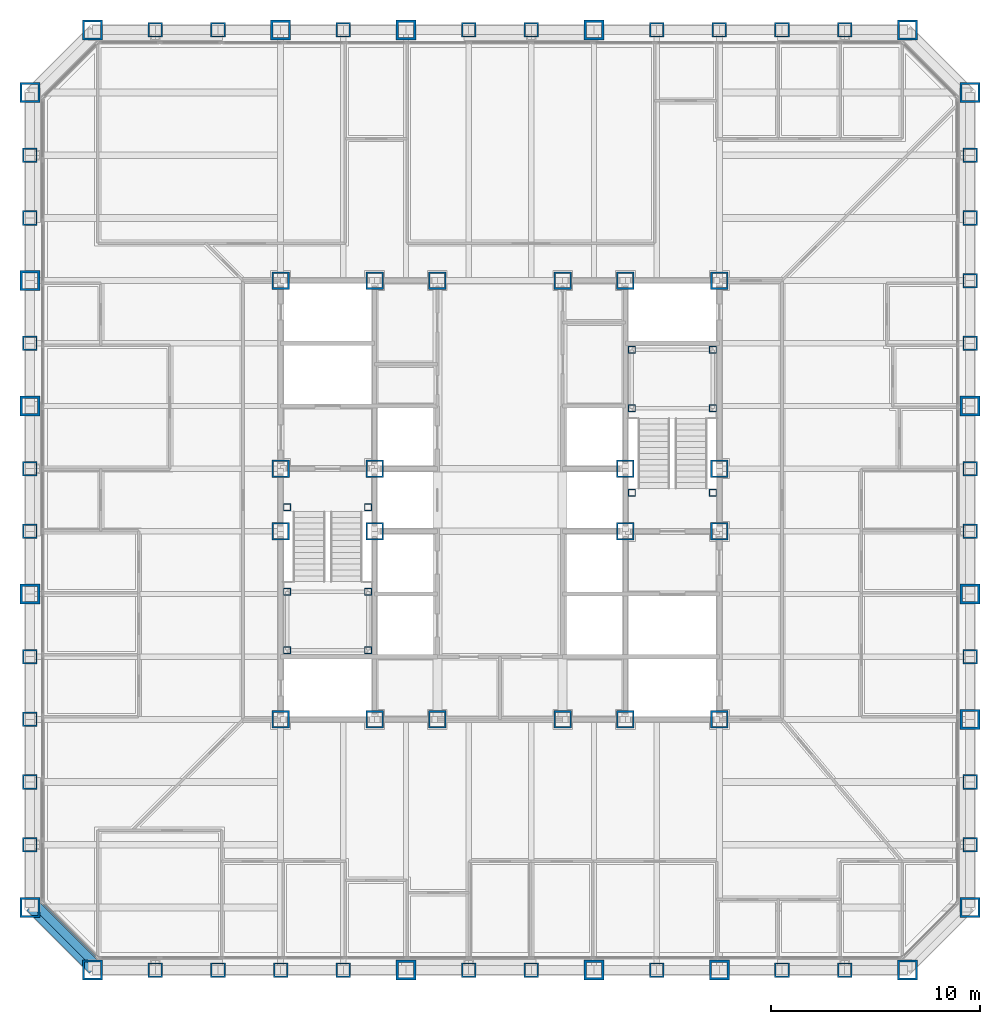
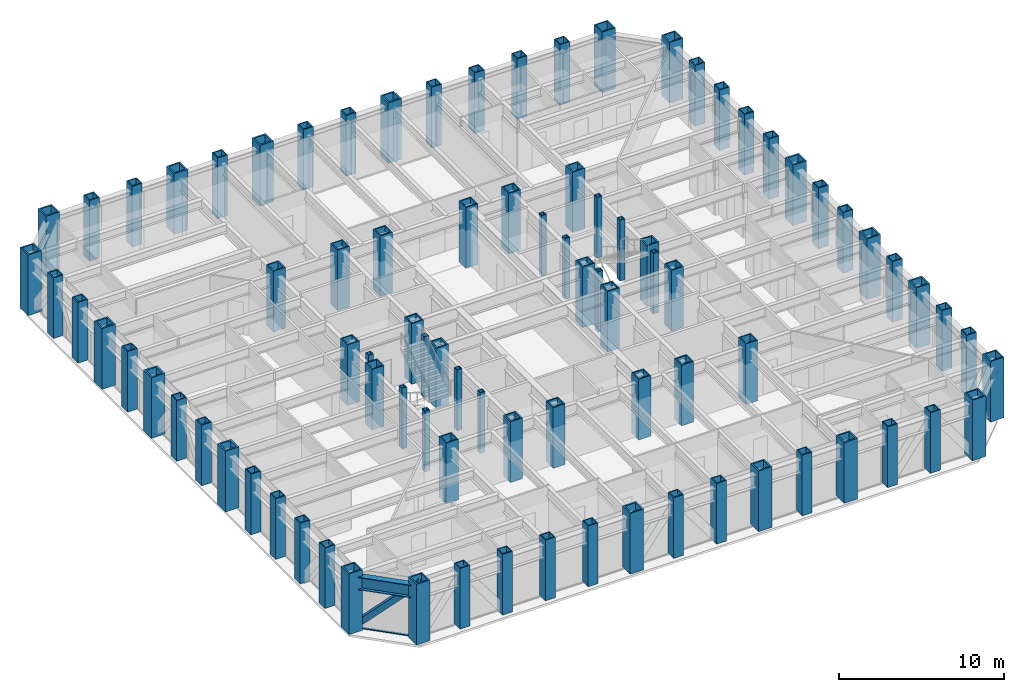
# One storey, part 1 of 16: 88 columns, 2 members, 1 beam, 1 element without a shape of its own.
"""IFC4 building model written with IfcOpenShell, lengths in metres."""

from ifc_helpers import new_model, si_unit, direction, frame, origin, origin_2d, place, context, subcontext, project, spatial, rectangle, hollow_rectangle, i_section, extrude, material, layer, layer_set, material_profile, profile_set, type_object, element, aggregate, save


model = new_model("IFC4")

# Units and contexts
model_context = context("Model", 3, precision=1e-05, world=origin(), true_north=direction((0.0, 1.0)))
body_context = subcontext(model_context, "Body", "Model", "MODEL_VIEW")
ifc_project = project(units=[si_unit("LENGTHUNIT", "METRE"), si_unit("AREAUNIT", "SQUARE_METRE"), si_unit("VOLUMEUNIT", "CUBIC_METRE"), si_unit("PLANEANGLEUNIT", "RADIAN"), si_unit("MASSUNIT", "GRAM", prefix="KILO")], contexts=[model_context])

# Site, building, storey
site_placement = place(None, origin())
site = spatial("IfcSite", under=ifc_project, at=site_placement, CompositionType="ELEMENT")
building_placement = place(site_placement, origin())
building = spatial("IfcBuilding", under=site, at=building_placement, Name="Chuquiago Exchange Tower", CompositionType="ELEMENT")
storey_placement = place(building_placement, frame((0.0, 0.0, 28.800048828125)))
storey = spatial("IfcBuildingStorey", under=building, at=storey_placement, Name="L05", CompositionType="ELEMENT", Elevation=28.800048828125)

# Columns
ifc_material_1 = material(Name="Steel ASTM A572 Grade 50", Category="steel")
ifc_material_profile_1 = material_profile(ifc_material_1, hollow_rectangle(XDim=0.699951171875, YDim=0.699951171875, WallThickness=0.070068359375, at=origin_2d()), Name="BOX700X700X70")
ifc_profile_set_1 = profile_set([ifc_material_profile_1], Name="Steel ASTM A572 Grade 50")
column_type_1 = type_object("IfcColumnType", Name="C2 BOX700X700X70", PredefinedType="COLUMN", material=ifc_profile_set_1)
for number, where, z_axis, x_axis, name in (
    (1, (6.0, 0.0, 0.0), (0.0, 0.0, 1.0), (0.0, -1.0, 0.0), "COL-L05-6_0"),
    (2, (9.0, 0.0, 0.0), (0.0, 0.0, 1.0), (0.0, -1.0, 0.0), "COL-L05-9_0"),
    (3, (12.0, 0.0, 0.0), (0.0, 0.0, 1.0), (0.0, -1.0, 0.0), "COL-L05-12_0"),
    (4, (15.0, 0.0, 0.0), (0.0, 0.0, 1.0), (0.0, -1.0, 0.0), "COL-L05-15_0"),
    (5, (21.0, 0.0, 0.0), (0.0, 0.0, 1.0), (0.0, -1.0, 0.0), "COL-L05-21_0"),
    (6, (24.0, 0.0, 0.0), (0.0, 0.0, 1.0), (0.0, -1.0, 0.0), "COL-L05-24_0"),
    (7, (30.0, 0.0, 0.0), (0.0, 0.0, 1.0), (0.0, -1.0, 0.0), "COL-L05-30_0"),
    (8, (36.0, 0.0, 0.0), (0.0, 0.0, 1.0), (0.0, -1.0, 0.0), "COL-L05-36_0"),
    (9, (39.0, 0.0, 0.0), (0.0, 0.0, 1.0), (0.0, -1.0, 0.0), "COL-L05-39_0"),
    (10, (45.0, 6.0, 0.0), (0.0, 0.0, 1.0), (1.0, 0.0, 0.0), "COL-L05-45_6"),
    (11, (45.0, 9.0, 0.0), (0.0, 0.0, 1.0), (1.0, 0.0, 0.0), "COL-L05-45_9"),
    (12, (45.0, 15.0, 0.0), (0.0, 0.0, 1.0), (1.0, 0.0, 0.0), "COL-L05-45_15"),
    (13, (45.0, 21.0, 0.0), (0.0, 0.0, 1.0), (1.0, 0.0, 0.0), "COL-L05-45_21"),
    (14, (45.0, 24.0, 0.0), (0.0, 0.0, 1.0), (1.0, 0.0, 0.0), "COL-L05-45_24"),
    (15, (45.0, 30.0, 0.0), (0.0, 0.0, 1.0), (1.0, 0.0, 0.0), "COL-L05-45_30"),
    (16, (45.0, 33.0, 0.0), (0.0, 0.0, 1.0), (1.0, 0.0, 0.0), "COL-L05-45_33"),
    (17, (45.0, 36.0, 0.0), (0.0, 0.0, 1.0), (1.0, 0.0, 0.0), "COL-L05-45_36"),
    (18, (45.0, 39.0, 0.0), (0.0, 0.0, 1.0), (1.0, 0.0, 0.0), "COL-L05-45_39"),
    (19, (39.0, 45.0, 0.0), (0.0, 0.0, 1.0), (0.0, 1.0, 0.0), "COL-L05-39_45"),
    (20, (36.0, 45.0, 0.0), (0.0, 0.0, 1.0), (0.0, 1.0, 0.0), "COL-L05-36_45"),
    (21, (33.0, 45.0, 0.0), (0.0, 0.0, 1.0), (0.0, 1.0, 0.0), "COL-L05-33_45"),
    (22, (30.0, 45.0, 0.0), (0.0, 0.0, 1.0), (0.0, 1.0, 0.0), "COL-L05-30_45"),
    (23, (24.0, 45.0, 0.0), (0.0, 0.0, 1.0), (0.0, 1.0, 0.0), "COL-L05-24_45"),
    (24, (21.0, 45.0, 0.0), (0.0, 0.0, 1.0), (0.0, 1.0, 0.0), "COL-L05-21_45"),
    (25, (15.0, 45.0, 0.0), (0.0, 0.0, 1.0), (0.0, 1.0, 0.0), "COL-L05-15_45"),
    (26, (9.0, 45.0, 0.0), (0.0, 0.0, 1.0), (0.0, 1.0, 0.0), "COL-L05-9_45"),
    (27, (6.0, 45.0, 0.0), (0.0, 0.0, 1.0), (0.0, 1.0, 0.0), "COL-L05-6_45"),
    (28, (0.0, 39.0, 0.0), (0.0, 0.0, 1.0), (-1.0, 0.0, 0.0), "COL-L05-0_39"),
    (29, (0.0, 36.0, 0.0), (0.0, 0.0, 1.0), (-1.0, 0.0, 0.0), "COL-L05-0_36"),
    (30, (0.0, 30.0, 0.0), (0.0, 0.0, 1.0), (-1.0, 0.0, 0.0), "COL-L05-0_30"),
    (31, (0.0, 24.0, 0.0), (0.0, 0.0, 1.0), (-1.0, 0.0, 0.0), "COL-L05-0_24"),
    (32, (0.0, 21.0, 0.0), (0.0, 0.0, 1.0), (-1.0, 0.0, 0.0), "COL-L05-0_21"),
    (33, (0.0, 15.0, 0.0), (0.0, 0.0, 1.0), (-1.0, 0.0, 0.0), "COL-L05-0_15"),
    (34, (0.0, 12.0, 0.0), (0.0, 0.0, 1.0), (-1.0, 0.0, 0.0), "COL-L05-0_12"),
    (35, (0.0, 9.0, 0.0), (0.0, 0.0, 1.0), (-1.0, 0.0, 0.0), "COL-L05-0_9"),
    (36, (0.0, 6.0, 0.0), (0.0, 0.0, 1.0), (-1.0, 0.0, 0.0), "COL-L05-0_6"),
):
    element("IfcColumn", number, at=place(storey_placement, frame(where, z_axis=z_axis, x_axis=x_axis)), inside=storey, type_object=column_type_1, Name=name, PredefinedType="COLUMN", context=body_context, shape_type="SweptSolid", body=[
        extrude(hollow_rectangle(XDim=0.699951171875, YDim=0.699951171875, WallThickness=0.070068359375, at=origin_2d()), origin(), (0.0, 0.0, 1.0), 4.5),
    ])
ifc_material_2 = material(Name="Steel ASTM A572 Grade 50", Category="steel")
ifc_material_profile_2 = material_profile(ifc_material_2, hollow_rectangle(XDim=0.85009765625, YDim=0.85009765625, WallThickness=0.0849609375, at=origin_2d()), Name="BOX850X850X85")
ifc_profile_set_2 = profile_set([ifc_material_profile_2], Name="Steel ASTM A572 Grade 50")
column_type_2 = type_object("IfcColumnType", Name="CC2 BOX850X850X85", PredefinedType="COLUMN", material=ifc_profile_set_2)
for number, where, z_axis, x_axis, name in (
    (37, (16.5, 12.0, 0.0), (0.0, 0.0, 1.0), (1.0, 0.0, 0.0), "CCOL-L05-16.5_12"),
    (38, (19.5, 12.0, 0.0), (0.0, 0.0, 1.0), (1.0, 0.0, 0.0), "CCOL-L05-19.5_12"),
    (39, (25.5, 12.0, 0.0), (0.0, 0.0, 1.0), (1.0, 0.0, 0.0), "CCOL-L05-25.5_12"),
    (40, (28.5, 12.0, 0.0), (0.0, 0.0, 1.0), (1.0, 0.0, 0.0), "CCOL-L05-28.5_12"),
    (41, (16.5, 33.0, 0.0), (0.0, 0.0, 1.0), (1.0, 0.0, 0.0), "CCOL-L05-16.5_33"),
    (42, (19.5, 33.0, 0.0), (0.0, 0.0, 1.0), (1.0, 0.0, 0.0), "CCOL-L05-19.5_33"),
    (43, (25.5, 33.0, 0.0), (0.0, 0.0, 1.0), (1.0, 0.0, 0.0), "CCOL-L05-25.5_33"),
    (44, (28.5, 33.0, 0.0), (0.0, 0.0, 1.0), (1.0, 0.0, 0.0), "CCOL-L05-28.5_33"),
    (45, (12.0, 21.0, 0.0), (0.0, 0.0, 1.0), (1.0, 0.0, 0.0), "CCOL-L05-12_21"),
    (46, (12.0, 24.0, 0.0), (0.0, 0.0, 1.0), (1.0, 0.0, 0.0), "CCOL-L05-12_24"),
    (47, (33.0, 21.0, 0.0), (0.0, 0.0, 1.0), (1.0, 0.0, 0.0), "CCOL-L05-33_21"),
    (48, (33.0, 24.0, 0.0), (0.0, 0.0, 1.0), (1.0, 0.0, 0.0), "CCOL-L05-33_24"),
    (49, (16.5, 21.0, 0.0), (0.0, 0.0, 1.0), (1.0, 0.0, 0.0), "CCOL-L05-16.5_21"),
    (50, (16.5, 24.0, 0.0), (0.0, 0.0, 1.0), (1.0, 0.0, 0.0), "CCOL-L05-16.5_24"),
    (51, (28.5, 21.0, 0.0), (0.0, 0.0, 1.0), (1.0, 0.0, 0.0), "CCOL-L05-28.5_21"),
    (52, (28.5, 24.0, 0.0), (0.0, 0.0, 1.0), (1.0, 0.0, 0.0), "CCOL-L05-28.5_24"),
):
    element("IfcColumn", number, at=place(storey_placement, frame(where, z_axis=z_axis, x_axis=x_axis)), inside=storey, type_object=column_type_2, Name=name, PredefinedType="COLUMN", context=body_context, shape_type="SweptSolid", body=[
        extrude(hollow_rectangle(XDim=0.85009765625, YDim=0.85009765625, WallThickness=0.0849609375, at=origin_2d()), origin(), (0.0, 0.0, 1.0), 4.5),
    ])
ifc_material_3 = material(Name="Steel ASTM A572 Grade 50", Category="steel")
ifc_material_profile_3 = material_profile(ifc_material_3, hollow_rectangle(XDim=0.85009765625, YDim=0.85009765625, WallThickness=0.0849609375, at=origin_2d()), Name="BOX850X850X85")
ifc_profile_set_3 = profile_set([ifc_material_profile_3], Name="Steel ASTM A572 Grade 50")
column_type_3 = type_object("IfcColumnType", Name="CC6 BOX850X850X85", PredefinedType="COLUMN", material=ifc_profile_set_3)
for number, where, z_axis, x_axis, name in (
    (53, (12.0, 12.0, 0.0), (0.0, 0.0, 1.0), (1.0, 0.0, 0.0), "CCOL-L05-12_12"),
    (54, (33.0, 12.0, 0.0), (0.0, 0.0, 1.0), (1.0, 0.0, 0.0), "CCOL-L05-33_12"),
    (55, (12.0, 33.0, 0.0), (0.0, 0.0, 1.0), (1.0, 0.0, 0.0), "CCOL-L05-12_33"),
    (56, (33.0, 33.0, 0.0), (0.0, 0.0, 1.0), (1.0, 0.0, 0.0), "CCOL-L05-33_33"),
):
    element("IfcColumn", number, at=place(storey_placement, frame(where, z_axis=z_axis, x_axis=x_axis)), inside=storey, type_object=column_type_3, Name=name, PredefinedType="COLUMN", context=body_context, shape_type="SweptSolid", body=[
        extrude(hollow_rectangle(XDim=0.85009765625, YDim=0.85009765625, WallThickness=0.0849609375, at=origin_2d()), origin(), (0.0, 0.0, 1.0), 4.5),
    ])
ifc_material_4 = material(Name="Steel ASTM A572 Grade 50", Category="steel")
ifc_material_profile_4 = material_profile(ifc_material_4, hollow_rectangle(XDim=0.949951171875, YDim=0.949951171875, WallThickness=0.094970703125, at=origin_2d()), Name="BOX950X950X95")
ifc_profile_set_4 = profile_set([ifc_material_profile_4], Name="Steel ASTM A572 Grade 50")
column_type_4 = type_object("IfcColumnType", Name="CN1 BOX950X950X95", PredefinedType="COLUMN", material=ifc_profile_set_4)
for number, where, z_axis, x_axis, name in (
    (57, (3.0, 0.0, 0.0), (0.0, 0.0, 1.0), (0.0, -1.0, 0.0), "COL-L05-3_0"),
    (58, (42.0, 0.0, 0.0), (0.0, 0.0, 1.0), (0.0, -1.0, 0.0), "COL-L05-42_0"),
    (59, (45.0, 3.0, 0.0), (0.0, 0.0, 1.0), (1.0, 0.0, 0.0), "COL-L05-45_3"),
    (60, (45.0, 42.0, 0.0), (0.0, 0.0, 1.0), (1.0, 0.0, 0.0), "COL-L05-45_42"),
    (61, (42.0, 45.0, 0.0), (0.0, 0.0, 1.0), (0.0, 1.0, 0.0), "COL-L05-42_45"),
    (62, (3.0, 45.0, 0.0), (0.0, 0.0, 1.0), (0.0, 1.0, 0.0), "COL-L05-3_45"),
    (63, (0.0, 42.0, 0.0), (0.0, 0.0, 1.0), (-1.0, 0.0, 0.0), "COL-L05-0_42"),
    (64, (0.0, 3.0, 0.0), (0.0, 0.0, 1.0), (-1.0, 0.0, 0.0), "COL-L05-0_3"),
):
    element("IfcColumn", number, at=place(storey_placement, frame(where, z_axis=z_axis, x_axis=x_axis)), inside=storey, type_object=column_type_4, Name=name, PredefinedType="COLUMN", context=body_context, shape_type="SweptSolid", body=[
        extrude(hollow_rectangle(XDim=0.949951171875, YDim=0.949951171875, WallThickness=0.094970703125, at=origin_2d()), origin(), (0.0, 0.0, 1.0), 4.5),
    ])
ifc_material_5 = material(Name="Steel ASTM A572 Grade 42", Category="steel")
ifc_material_profile_5 = material_profile(ifc_material_5, hollow_rectangle(XDim=0.949951171875, YDim=0.949951171875, WallThickness=0.110107421875, at=origin_2d()), Name="BOX950X950X110")
ifc_profile_set_5 = profile_set([ifc_material_profile_5], Name="Steel ASTM A572 Grade 42")
column_type_5 = type_object("IfcColumnType", Name="CT1 BOX950X950X110", PredefinedType="COLUMN", material=ifc_profile_set_5)
for number, where, z_axis, x_axis, name in (
    (65, (18.0, 0.0, 0.0), (0.0, 0.0, 1.0), (0.0, -1.0, 0.0), "COL-L05-18_0"),
    (66, (27.0, 0.0, 0.0), (0.0, 0.0, 1.0), (0.0, -1.0, 0.0), "COL-L05-27_0"),
    (67, (33.0, 0.0, 0.0), (0.0, 0.0, 1.0), (0.0, -1.0, 0.0), "COL-L05-33_0"),
    (68, (45.0, 12.0, 0.0), (0.0, 0.0, 1.0), (1.0, 0.0, 0.0), "COL-L05-45_12"),
    (69, (45.0, 18.0, 0.0), (0.0, 0.0, 1.0), (1.0, 0.0, 0.0), "COL-L05-45_18"),
    (70, (45.0, 27.0, 0.0), (0.0, 0.0, 1.0), (1.0, 0.0, 0.0), "COL-L05-45_27"),
    (71, (27.0, 45.0, 0.0), (0.0, 0.0, 1.0), (0.0, 1.0, 0.0), "COL-L05-27_45"),
    (72, (18.0, 45.0, 0.0), (0.0, 0.0, 1.0), (0.0, 1.0, 0.0), "COL-L05-18_45"),
    (73, (12.0, 45.0, 0.0), (0.0, 0.0, 1.0), (0.0, 1.0, 0.0), "COL-L05-12_45"),
    (74, (0.0, 33.0, 0.0), (0.0, 0.0, 1.0), (-1.0, 0.0, 0.0), "COL-L05-0_33"),
    (75, (0.0, 27.0, 0.0), (0.0, 0.0, 1.0), (-1.0, 0.0, 0.0), "COL-L05-0_27"),
    (76, (0.0, 18.0, 0.0), (0.0, 0.0, 1.0), (-1.0, 0.0, 0.0), "COL-L05-0_18"),
):
    element("IfcColumn", number, at=place(storey_placement, frame(where, z_axis=z_axis, x_axis=x_axis)), inside=storey, type_object=column_type_5, Name=name, PredefinedType="COLUMN", context=body_context, shape_type="SweptSolid", body=[
        extrude(hollow_rectangle(XDim=0.949951171875, YDim=0.949951171875, WallThickness=0.110107421875, at=origin_2d()), origin(), (0.0, 0.0, 1.0), 4.5),
    ])
ifc_material_6 = material(Name="Steel ASTM A572 Grade 50", Category="steel")
ifc_material_profile_6 = material_profile(ifc_material_6, hollow_rectangle(XDim=0.35009765625, YDim=0.35009765625, WallThickness=0.034912109375, at=origin_2d()), Name="BOX350X350X35")
ifc_profile_set_6 = profile_set([ifc_material_profile_6], Name="Steel ASTM A572 Grade 50")
column_type_6 = type_object("IfcColumnType", Name="PT3 BOX350X350X35", PredefinedType="COLUMN", material=ifc_profile_set_6)
for number, where, z_axis, x_axis, name in (
    (77, (12.31005859375, 15.31005859375, 0.0), (0.0, 0.0, 1.0), (1.0, 0.0, 0.0), "Stair ST1 L05 landing post"),
    (78, (16.18994140625, 15.31005859375, 0.0), (0.0, 0.0, 1.0), (1.0, 0.0, 0.0), "Stair ST1 L05 landing post"),
    (79, (12.31005859375, 18.110107421875, 0.0), (0.0, 0.0, 1.0), (1.0, 0.0, 0.0), "Stair ST1 L05 landing post"),
    (80, (16.18994140625, 18.110107421875, 0.0), (0.0, 0.0, 1.0), (1.0, 0.0, 0.0), "Stair ST1 L05 landing post"),
    (81, (12.31005859375, 22.14990234375, 0.0), (0.0, 0.0, 1.0), (1.0, 0.0, 0.0), "Stair ST1 L05 landing post"),
    (82, (16.18994140625, 22.14990234375, 0.0), (0.0, 0.0, 1.0), (1.0, 0.0, 0.0), "Stair ST1 L05 landing post"),
    (83, (28.81005859375, 29.68994140625, 0.0), (0.0, 0.0, 1.0), (1.0, 0.0, 0.0), "Stair ST2 L05 landing post"),
    (84, (32.68994140625, 29.68994140625, 0.0), (0.0, 0.0, 1.0), (1.0, 0.0, 0.0), "Stair ST2 L05 landing post"),
    (85, (28.81005859375, 26.889892578125, 0.0), (0.0, 0.0, 1.0), (1.0, 0.0, 0.0), "Stair ST2 L05 landing post"),
    (86, (32.68994140625, 26.889892578125, 0.0), (0.0, 0.0, 1.0), (1.0, 0.0, 0.0), "Stair ST2 L05 landing post"),
    (87, (28.81005859375, 22.85009765625, 0.0), (0.0, 0.0, 1.0), (1.0, 0.0, 0.0), "Stair ST2 L05 landing post"),
    (88, (32.68994140625, 22.85009765625, 0.0), (0.0, 0.0, 1.0), (1.0, 0.0, 0.0), "Stair ST2 L05 landing post"),
):
    element("IfcColumn", number, at=place(storey_placement, frame(where, z_axis=z_axis, x_axis=x_axis)), inside=storey, type_object=column_type_6, Name=name, PredefinedType="COLUMN", context=body_context, shape_type="SweptSolid", body=[
        extrude(hollow_rectangle(XDim=0.35009765625, YDim=0.35009765625, WallThickness=0.034912109375, at=origin_2d()), origin(), (0.0, 0.0, 1.0), 4.5),
    ])

# Curtain wall, member
ifc_material_7 = material(Name="Aluminium curtain wall system", Category="aluminium")
ifc_layer = layer(ifc_material_7, 0.199951171875)
ifc_layer_set = layer_set([ifc_layer], Name="CW3 facet curtain wall")
curtain_wall_type = type_object("IfcCurtainWallType", Name="CW3 facet curtain wall", PredefinedType="NOTDEFINED", material=ifc_layer_set)
curtain_wall_placement = place(storey_placement, origin())
curtain_wall = element("IfcCurtainWall", 89, at=curtain_wall_placement, inside=storey, type_object=curtain_wall_type, Name="CW3 curtain wall L05", PredefinedType="NOTDEFINED")
ifc_material_8 = material(Name="Aluminium transom, pale anodised", Category="aluminium")
ifc_material_profile_7 = material_profile(ifc_material_8, rectangle(XDim=0.139892578125, YDim=0.06494140625, at=origin_2d()), Name="AL 140x65")
ifc_profile_set_7 = profile_set([ifc_material_profile_7], Name="Aluminium transom, pale anodised")
member_type_1 = type_object("IfcMemberType", Name="CW3-T transom 65x140", PredefinedType="MULLION", material=ifc_profile_set_7)
member_1_placement = place(storey_placement, frame((0.64599609375, 3.20263671875, -0.267578125), z_axis=(0.707106781187, -0.707106781187, 0.0), x_axis=(0.707106781187, 0.707106781187, 0.0)))
member_1 = element("IfcMember", 90, at=member_1_placement, type_object=member_type_1, Name="CW3 transom 1.1", PredefinedType="MULLION", context=body_context, shape_type="SweptSolid", body=[
    extrude(rectangle(XDim=0.139892578125, YDim=0.06494140625, at=origin_2d()), origin(), (0.0, 0.0, 1.0), 3.61572265625),
])
aggregate(curtain_wall, [member_1])

# Member
ifc_material_9 = material(Name="Steel ASTM A500 Grade C", Category="steel")
ifc_material_profile_8 = material_profile(ifc_material_9, hollow_rectangle(XDim=0.406494140625, YDim=0.406494140625, WallThickness=0.0146484375, at=origin_2d()), Name="HSS16X16X5/8")
ifc_profile_set_8 = profile_set([ifc_material_profile_8], Name="Steel ASTM A500 Grade C")
member_type_2 = type_object("IfcMemberType", Name="LB4 HSS16X16X5/8", PredefinedType="BRACE", material=ifc_profile_set_8)
member_2_placement = place(storey_placement, frame((0.21337890625, 3.21337890625, 0.0), z_axis=(0.512077265487, -0.512077265487, 0.689604051861), x_axis=(0.707106781187, 0.707106781187, 0.0)))
element("IfcMember", 91, at=member_2_placement, inside=storey, type_object=member_type_2, Name="LB-L05-0_3-3_0", PredefinedType="BRACE", context=body_context, shape_type="SweptSolid", body=[
    extrude(hollow_rectangle(XDim=0.406494140625, YDim=0.406494140625, WallThickness=0.0146484375, at=origin_2d()), origin(), (0.0, 0.0, 1.0), 5.8583984375),
])

# Beam
ifc_material_10 = material(Name="Steel ASTM A992", Category="steel")
ifc_material_profile_9 = material_profile(ifc_material_10, i_section(OverallWidth=0.424072265625, OverallDepth=0.947509765625, WebThickness=0.02392578125, FlangeThickness=0.042724609375, at=origin_2d()), Name="W36X302")
ifc_profile_set_9 = profile_set([ifc_material_profile_9], Name="Steel ASTM A992")
beam_type = type_object("IfcBeamType", Name="SP1 W36X302", PredefinedType="SPANDREL", material=ifc_profile_set_9)
beam_placement = place(storey_placement, frame((0.0, 3.0, 3.566162109375), z_axis=(0.707106781187, -0.707106781187, 0.0), x_axis=(0.707106781187, 0.707106781187, 0.0)))
element("IfcBeam", 92, at=beam_placement, inside=storey, type_object=beam_type, Name="SPB-L06-0_3-3_0", PredefinedType="SPANDREL", context=body_context, shape_type="SweptSolid", body=[
    extrude(i_section(OverallWidth=0.424072265625, OverallDepth=0.947509765625, WebThickness=0.02392578125, FlangeThickness=0.042724609375, at=origin_2d()), origin(), (0.0, 0.0, 1.0), 4.24267578125),
])

save(model, "model.ifc")
